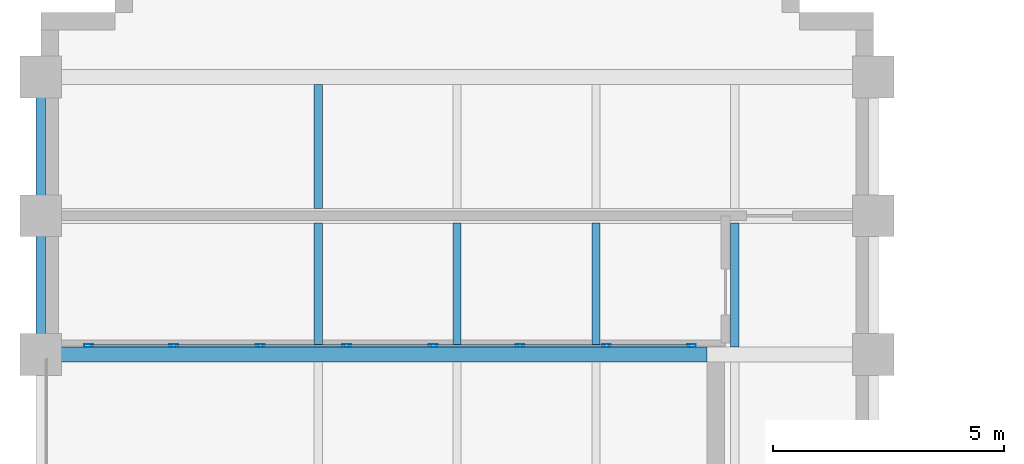
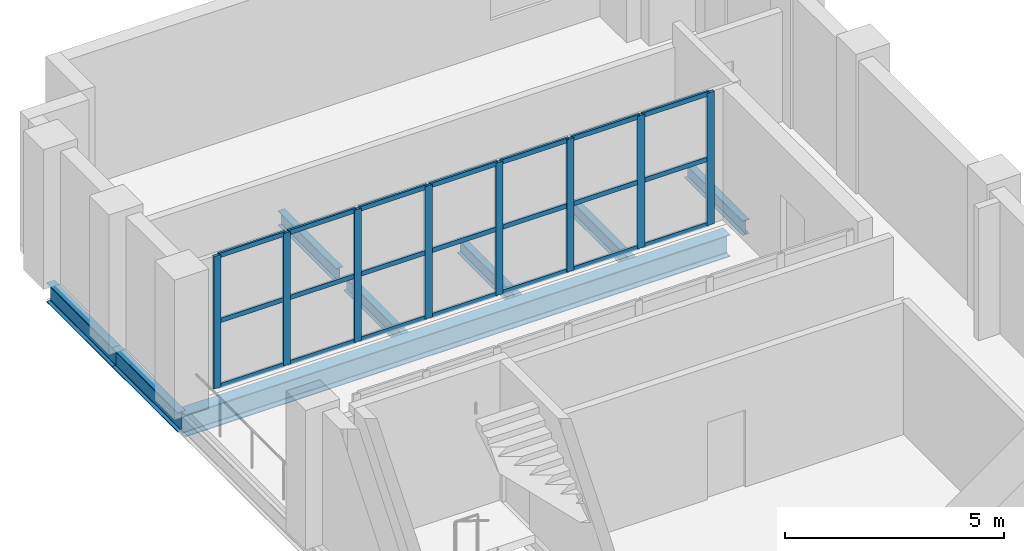
# One storey, part 6 of 11: 29 members, 8 beams, 1 element without a shape of its own.
"""IFC4 building model written with IfcOpenShell, lengths in metres."""

from ifc_helpers import new_model, si_unit, direction, frame, origin, origin_2d, place, context, subcontext, project, spatial, hollow_rectangle, i_section, extrude, material, layer, layer_set, material_profile, profile_set, type_object, element, aggregate, save


model = new_model("IFC4")

# Units and contexts
model_context = context("Model", 3, precision=1e-05, world=origin(), true_north=direction((0.0, 1.0)))
body_context = subcontext(model_context, "Body", "Model", "MODEL_VIEW")
ifc_project = project(units=[si_unit("LENGTHUNIT", "METRE"), si_unit("AREAUNIT", "SQUARE_METRE"), si_unit("VOLUMEUNIT", "CUBIC_METRE"), si_unit("PLANEANGLEUNIT", "RADIAN"), si_unit("MASSUNIT", "GRAM", prefix="KILO")], contexts=[model_context])

# Site, building, storey
site_placement = place(None, origin())
site = spatial("IfcSite", under=ifc_project, at=site_placement, CompositionType="ELEMENT")
building_placement = place(site_placement, origin())
building = spatial("IfcBuilding", under=site, at=building_placement, Name="Mawjdan Bourse Tower", CompositionType="ELEMENT")
storey_placement = place(building_placement, frame((0.0, 0.0, 191.699951171875)))
storey = spatial("IfcBuildingStorey", under=building, at=storey_placement, Name="L46", CompositionType="ELEMENT", Elevation=191.699951171875)

# Beams
ifc_material_1 = material(Name="Structural Steel S355", Category="steel")
ifc_material_profile_1 = material_profile(ifc_material_1, i_section(OverallWidth=0.324951171875, OverallDepth=0.616943359375, WebThickness=0.013916015625, FlangeThickness=0.021484375, FilletRadius=0.017333984375, at=origin_2d()), Name="W24X117")
ifc_profile_set_1 = profile_set([ifc_material_profile_1], Name="Structural Steel S355")
beam_type_1 = type_object("IfcBeamType", Name="GRD-W24X117", PredefinedType="BEAM", material=ifc_profile_set_1)
beam_placement = place(storey_placement, frame((6.0, 36.0, -0.508544921875), z_axis=(1.0, 0.0, 0.0), x_axis=(0.0, 1.0, 0.0)))
element("IfcBeam", 1, at=beam_placement, inside=storey, type_object=beam_type_1, Name="L46 North Wing Clear-Span Girder 050", PredefinedType="BEAM", context=body_context, shape_type="SweptSolid", body=[
    extrude(i_section(OverallWidth=0.324951171875, OverallDepth=0.616943359375, WebThickness=0.013916015625, FlangeThickness=0.021484375, FilletRadius=0.017333984375, at=origin_2d()), origin(), (0.0, 0.0, 1.0), 14.39990234375),
])
ifc_material_profile_2 = material_profile(ifc_material_1, i_section(OverallWidth=0.177978515625, OverallDepth=0.406982421875, WebThickness=0.0078125, FlangeThickness=0.0126953125, FilletRadius=0.01025390625, at=origin_2d()), Name="W16X40")
ifc_profile_set_2 = profile_set([ifc_material_profile_2], Name="Structural Steel S355")
beam_type_2 = type_object("IfcBeamType", Name="JST-W16X40", PredefinedType="JOIST", material=ifc_profile_set_2)
for number, where, z_axis, x_axis, name in (
    (2, (12.0, 36.160400390625, -0.403564453125), (0.0, 1.0, 0.0), (-1.0, 0.0, 0.0), "L46 North Wing Composite Joist 067"),
    (3, (12.0, 39.160400390625, -0.403564453125), (0.0, 1.0, 0.0), (-1.0, 0.0, 0.0), "L46 North Wing Composite Joist 068"),
    (4, (15.0, 36.160400390625, -0.403564453125), (0.0, 1.0, 0.0), (-1.0, 0.0, 0.0), "L46 North Wing Composite Joist 072"),
    (5, (18.0, 36.160400390625, -0.403564453125), (0.0, 1.0, 0.0), (-1.0, 0.0, 0.0), "L46 North Wing Composite Joist 077"),
    (6, (21.0, 36.160400390625, -0.403564453125), (0.0, 1.0, 0.0), (-1.0, 0.0, 0.0), "L46 North Wing Composite Joist 082"),
):
    element("IfcBeam", number, at=place(storey_placement, frame(where, z_axis=z_axis, x_axis=x_axis)), inside=storey, type_object=beam_type_2, Name=name, PredefinedType="JOIST", context=body_context, shape_type="SweptSolid", body=[
        extrude(i_section(OverallWidth=0.177978515625, OverallDepth=0.406982421875, WebThickness=0.0078125, FlangeThickness=0.0126953125, FilletRadius=0.01025390625, at=origin_2d()), origin(), (0.0, 0.0, 1.0), 2.67919921875),
    ])

# Curtain wall, members
ifc_material_2 = material(Name="Thermally Broken Aluminium and Solar Glass", Category="aluminium")
ifc_layer = layer(ifc_material_2, 0.219970703125)
ifc_layer_set = layer_set([ifc_layer], Name="Thermally Broken Aluminium and Solar Glass")
curtain_wall_type = type_object("IfcCurtainWallType", Name="CW-POR", PredefinedType="USERDEFINED", material=ifc_layer_set)
curtain_wall_placement = place(storey_placement, origin())
curtain_wall = element("IfcCurtainWall", 7, at=curtain_wall_placement, inside=storey, type_object=curtain_wall_type, Name="L46 North Void Portal Glazed Cheek 14", ObjectType="VOID PORTAL CURTAIN WALL", PredefinedType="USERDEFINED")
ifc_material_3 = material(Name="Thermally Broken Anodised Aluminium", Category="aluminium")
ifc_material_profile_3 = material_profile(ifc_material_3, hollow_rectangle(XDim=0.070068359375, YDim=0.18994140625, WallThickness=0.00439453125, at=origin_2d()), Name="ALU-MUL-190X70")
ifc_profile_set_3 = profile_set([ifc_material_profile_3], Name="Thermally Broken Anodised Aluminium")
member_type_1 = type_object("IfcMemberType", Name="MUL-ALU-MUL-190X70", PredefinedType="MULLION", material=ifc_profile_set_3)
member_1_placement = place(storey_placement, frame((7.034912109375, 36.18994140625, 0.0), z_axis=(0.0, 0.0, 1.0), x_axis=(0.0, 1.0, 0.0)))
member_1 = element("IfcMember", 8, at=member_1_placement, type_object=member_type_1, Name="CW-POR-L46-POR-N14 mullion 1", PredefinedType="MULLION", context=body_context, shape_type="SweptSolid", body=[
    extrude(hollow_rectangle(XDim=0.070068359375, YDim=0.18994140625, WallThickness=0.00439453125, at=origin_2d()), origin(), (0.0, 0.0, 1.0), 3.699951171875),
])
member_2_placement = place(storey_placement, frame((8.871337890625, 36.18994140625, 0.0), z_axis=(0.0, 0.0, 1.0), x_axis=(0.0, 1.0, 0.0)))
member_2 = element("IfcMember", 9, at=member_2_placement, type_object=member_type_1, Name="CW-POR-L46-POR-N14 mullion 2", PredefinedType="MULLION", context=body_context, shape_type="SweptSolid", body=[
    extrude(hollow_rectangle(XDim=0.070068359375, YDim=0.18994140625, WallThickness=0.00439453125, at=origin_2d()), origin(), (0.0, 0.0, 1.0), 3.699951171875),
])
member_3_placement = place(storey_placement, frame((10.742919921875, 36.18994140625, 0.0), z_axis=(0.0, 0.0, 1.0), x_axis=(0.0, 1.0, 0.0)))
member_3 = element("IfcMember", 10, at=member_3_placement, type_object=member_type_1, Name="CW-POR-L46-POR-N14 mullion 3", PredefinedType="MULLION", context=body_context, shape_type="SweptSolid", body=[
    extrude(hollow_rectangle(XDim=0.070068359375, YDim=0.18994140625, WallThickness=0.00439453125, at=origin_2d()), origin(), (0.0, 0.0, 1.0), 3.699951171875),
])
member_4_placement = place(storey_placement, frame((12.6142578125, 36.18994140625, 0.0), z_axis=(0.0, 0.0, 1.0), x_axis=(0.0, 1.0, 0.0)))
member_4 = element("IfcMember", 11, at=member_4_placement, type_object=member_type_1, Name="CW-POR-L46-POR-N14 mullion 4", PredefinedType="MULLION", context=body_context, shape_type="SweptSolid", body=[
    extrude(hollow_rectangle(XDim=0.070068359375, YDim=0.18994140625, WallThickness=0.00439453125, at=origin_2d()), origin(), (0.0, 0.0, 1.0), 3.699951171875),
])
member_5_placement = place(storey_placement, frame((14.485595703125, 36.18994140625, 0.0), z_axis=(0.0, 0.0, 1.0), x_axis=(0.0, 1.0, 0.0)))
member_5 = element("IfcMember", 12, at=member_5_placement, type_object=member_type_1, Name="CW-POR-L46-POR-N14 mullion 5", PredefinedType="MULLION", context=body_context, shape_type="SweptSolid", body=[
    extrude(hollow_rectangle(XDim=0.070068359375, YDim=0.18994140625, WallThickness=0.00439453125, at=origin_2d()), origin(), (0.0, 0.0, 1.0), 3.699951171875),
])
member_6_placement = place(storey_placement, frame((16.357177734375, 36.18994140625, 0.0), z_axis=(0.0, 0.0, 1.0), x_axis=(0.0, 1.0, 0.0)))
member_6 = element("IfcMember", 13, at=member_6_placement, type_object=member_type_1, Name="CW-POR-L46-POR-N14 mullion 6", PredefinedType="MULLION", context=body_context, shape_type="SweptSolid", body=[
    extrude(hollow_rectangle(XDim=0.070068359375, YDim=0.18994140625, WallThickness=0.00439453125, at=origin_2d()), origin(), (0.0, 0.0, 1.0), 3.699951171875),
])
member_7_placement = place(storey_placement, frame((18.228515625, 36.18994140625, 0.0), z_axis=(0.0, 0.0, 1.0), x_axis=(0.0, 1.0, 0.0)))
member_7 = element("IfcMember", 14, at=member_7_placement, type_object=member_type_1, Name="CW-POR-L46-POR-N14 mullion 7", PredefinedType="MULLION", context=body_context, shape_type="SweptSolid", body=[
    extrude(hollow_rectangle(XDim=0.070068359375, YDim=0.18994140625, WallThickness=0.00439453125, at=origin_2d()), origin(), (0.0, 0.0, 1.0), 3.699951171875),
])
member_8_placement = place(storey_placement, frame((20.06494140625, 36.18994140625, 0.0), z_axis=(0.0, 0.0, 1.0), x_axis=(0.0, 1.0, 0.0)))
member_8 = element("IfcMember", 15, at=member_8_placement, type_object=member_type_1, Name="CW-POR-L46-POR-N14 mullion 8", PredefinedType="MULLION", context=body_context, shape_type="SweptSolid", body=[
    extrude(hollow_rectangle(XDim=0.070068359375, YDim=0.18994140625, WallThickness=0.00439453125, at=origin_2d()), origin(), (0.0, 0.0, 1.0), 3.699951171875),
])

# Beams
ifc_material_profile_4 = material_profile(ifc_material_1, i_section(OverallWidth=0.2119140625, OverallDepth=0.5439453125, WebThickness=0.01318359375, FlangeThickness=0.021240234375, FilletRadius=0.01708984375, at=origin_2d()), Name="W21X83")
ifc_profile_set_4 = profile_set([ifc_material_profile_4], Name="Structural Steel S355")
beam_type_3 = type_object("IfcBeamType", Name="SPN-W21X83", PredefinedType="SPANDREL", material=ifc_profile_set_4)
for number, where, z_axis, x_axis, name in (
    (16, (6.0, 36.0, -0.471923828125), (0.0, 1.0, 0.0), (-1.0, 0.0, 0.0), "L46 North Wing Spandrel 057"),
    (17, (6.0, 39.0, -0.471923828125), (0.0, 1.0, 0.0), (-1.0, 0.0, 0.0), "L46 North Wing Spandrel 058"),
):
    element("IfcBeam", number, at=place(storey_placement, frame(where, z_axis=z_axis, x_axis=x_axis)), inside=storey, type_object=beam_type_3, Name=name, PredefinedType="SPANDREL", context=body_context, shape_type="SweptSolid", body=[
        extrude(i_section(OverallWidth=0.2119140625, OverallDepth=0.5439453125, WebThickness=0.01318359375, FlangeThickness=0.021240234375, FilletRadius=0.01708984375, at=origin_2d()), origin(), (0.0, 0.0, 1.0), 3.0),
    ])

# Member
ifc_material_profile_5 = material_profile(ifc_material_3, hollow_rectangle(XDim=0.054931640625, YDim=0.1298828125, WallThickness=0.00341796875, at=origin_2d()), Name="ALU-TRN-130X55")
ifc_profile_set_5 = profile_set([ifc_material_profile_5], Name="Thermally Broken Anodised Aluminium")
member_type_2 = type_object("IfcMemberType", Name="TRN-ALU-TRN-130X55", PredefinedType="USERDEFINED", material=ifc_profile_set_5)
member_9_placement = place(storey_placement, frame((7.070068359375, 36.18994140625, 0.027587890625), z_axis=(1.0, 0.0, 0.0), x_axis=(0.0, 1.0, 0.0)))
member_9 = element("IfcMember", 18, at=member_9_placement, type_object=member_type_2, Name="CW-POR-L46-POR-N14 transom 1.1", ObjectType="TRANSOM", PredefinedType="USERDEFINED", context=body_context, shape_type="SweptSolid", body=[
    extrude(hollow_rectangle(XDim=0.054931640625, YDim=0.1298828125, WallThickness=0.00341796875, at=origin_2d()), origin(), (0.0, 0.0, 1.0), 1.766357421875),
])

member_10_placement = place(storey_placement, frame((7.070068359375, 36.18994140625, 1.85009765625), z_axis=(1.0, 0.0, 0.0), x_axis=(0.0, 1.0, 0.0)))
member_10 = element("IfcMember", 19, at=member_10_placement, type_object=member_type_2, Name="CW-POR-L46-POR-N14 transom 1.2", ObjectType="TRANSOM", PredefinedType="USERDEFINED", context=body_context, shape_type="SweptSolid", body=[
    extrude(hollow_rectangle(XDim=0.054931640625, YDim=0.1298828125, WallThickness=0.00341796875, at=origin_2d()), origin(), (0.0, 0.0, 1.0), 1.766357421875),
])

member_11_placement = place(storey_placement, frame((7.070068359375, 36.18994140625, 3.672607421875), z_axis=(1.0, 0.0, 0.0), x_axis=(0.0, 1.0, 0.0)))
member_11 = element("IfcMember", 20, at=member_11_placement, type_object=member_type_2, Name="CW-POR-L46-POR-N14 transom 1.3", ObjectType="TRANSOM", PredefinedType="USERDEFINED", context=body_context, shape_type="SweptSolid", body=[
    extrude(hollow_rectangle(XDim=0.054931640625, YDim=0.1298828125, WallThickness=0.00341796875, at=origin_2d()), origin(), (0.0, 0.0, 1.0), 1.766357421875),
])

member_12_placement = place(storey_placement, frame((8.906494140625, 36.18994140625, 0.027587890625), z_axis=(1.0, 0.0, 0.0), x_axis=(0.0, 1.0, 0.0)))
member_12 = element("IfcMember", 21, at=member_12_placement, type_object=member_type_2, Name="CW-POR-L46-POR-N14 transom 2.1", ObjectType="TRANSOM", PredefinedType="USERDEFINED", context=body_context, shape_type="SweptSolid", body=[
    extrude(hollow_rectangle(XDim=0.054931640625, YDim=0.1298828125, WallThickness=0.00341796875, at=origin_2d()), origin(), (0.0, 0.0, 1.0), 1.80126953125),
])

member_13_placement = place(storey_placement, frame((8.906494140625, 36.18994140625, 1.85009765625), z_axis=(1.0, 0.0, 0.0), x_axis=(0.0, 1.0, 0.0)))
member_13 = element("IfcMember", 22, at=member_13_placement, type_object=member_type_2, Name="CW-POR-L46-POR-N14 transom 2.2", ObjectType="TRANSOM", PredefinedType="USERDEFINED", context=body_context, shape_type="SweptSolid", body=[
    extrude(hollow_rectangle(XDim=0.054931640625, YDim=0.1298828125, WallThickness=0.00341796875, at=origin_2d()), origin(), (0.0, 0.0, 1.0), 1.80126953125),
])

member_14_placement = place(storey_placement, frame((8.906494140625, 36.18994140625, 3.672607421875), z_axis=(1.0, 0.0, 0.0), x_axis=(0.0, 1.0, 0.0)))
member_14 = element("IfcMember", 23, at=member_14_placement, type_object=member_type_2, Name="CW-POR-L46-POR-N14 transom 2.3", ObjectType="TRANSOM", PredefinedType="USERDEFINED", context=body_context, shape_type="SweptSolid", body=[
    extrude(hollow_rectangle(XDim=0.054931640625, YDim=0.1298828125, WallThickness=0.00341796875, at=origin_2d()), origin(), (0.0, 0.0, 1.0), 1.80126953125),
])

member_15_placement = place(storey_placement, frame((10.77783203125, 36.18994140625, 0.027587890625), z_axis=(1.0, 0.0, 0.0), x_axis=(0.0, 1.0, 0.0)))
member_15 = element("IfcMember", 24, at=member_15_placement, type_object=member_type_2, Name="CW-POR-L46-POR-N14 transom 3.1", ObjectType="TRANSOM", PredefinedType="USERDEFINED", context=body_context, shape_type="SweptSolid", body=[
    extrude(hollow_rectangle(XDim=0.054931640625, YDim=0.1298828125, WallThickness=0.00341796875, at=origin_2d()), origin(), (0.0, 0.0, 1.0), 1.801513671875),
])

member_16_placement = place(storey_placement, frame((10.77783203125, 36.18994140625, 1.85009765625), z_axis=(1.0, 0.0, 0.0), x_axis=(0.0, 1.0, 0.0)))
member_16 = element("IfcMember", 25, at=member_16_placement, type_object=member_type_2, Name="CW-POR-L46-POR-N14 transom 3.2", ObjectType="TRANSOM", PredefinedType="USERDEFINED", context=body_context, shape_type="SweptSolid", body=[
    extrude(hollow_rectangle(XDim=0.054931640625, YDim=0.1298828125, WallThickness=0.00341796875, at=origin_2d()), origin(), (0.0, 0.0, 1.0), 1.801513671875),
])

member_17_placement = place(storey_placement, frame((10.77783203125, 36.18994140625, 3.672607421875), z_axis=(1.0, 0.0, 0.0), x_axis=(0.0, 1.0, 0.0)))
member_17 = element("IfcMember", 26, at=member_17_placement, type_object=member_type_2, Name="CW-POR-L46-POR-N14 transom 3.3", ObjectType="TRANSOM", PredefinedType="USERDEFINED", context=body_context, shape_type="SweptSolid", body=[
    extrude(hollow_rectangle(XDim=0.054931640625, YDim=0.1298828125, WallThickness=0.00341796875, at=origin_2d()), origin(), (0.0, 0.0, 1.0), 1.801513671875),
])

member_18_placement = place(storey_placement, frame((12.649169921875, 36.18994140625, 0.027587890625), z_axis=(1.0, 0.0, 0.0), x_axis=(0.0, 1.0, 0.0)))
member_18 = element("IfcMember", 27, at=member_18_placement, type_object=member_type_2, Name="CW-POR-L46-POR-N14 transom 4.1", ObjectType="TRANSOM", PredefinedType="USERDEFINED", context=body_context, shape_type="SweptSolid", body=[
    extrude(hollow_rectangle(XDim=0.054931640625, YDim=0.1298828125, WallThickness=0.00341796875, at=origin_2d()), origin(), (0.0, 0.0, 1.0), 1.801513671875),
])

member_19_placement = place(storey_placement, frame((12.649169921875, 36.18994140625, 1.85009765625), z_axis=(1.0, 0.0, 0.0), x_axis=(0.0, 1.0, 0.0)))
member_19 = element("IfcMember", 28, at=member_19_placement, type_object=member_type_2, Name="CW-POR-L46-POR-N14 transom 4.2", ObjectType="TRANSOM", PredefinedType="USERDEFINED", context=body_context, shape_type="SweptSolid", body=[
    extrude(hollow_rectangle(XDim=0.054931640625, YDim=0.1298828125, WallThickness=0.00341796875, at=origin_2d()), origin(), (0.0, 0.0, 1.0), 1.801513671875),
])

member_20_placement = place(storey_placement, frame((12.649169921875, 36.18994140625, 3.672607421875), z_axis=(1.0, 0.0, 0.0), x_axis=(0.0, 1.0, 0.0)))
member_20 = element("IfcMember", 29, at=member_20_placement, type_object=member_type_2, Name="CW-POR-L46-POR-N14 transom 4.3", ObjectType="TRANSOM", PredefinedType="USERDEFINED", context=body_context, shape_type="SweptSolid", body=[
    extrude(hollow_rectangle(XDim=0.054931640625, YDim=0.1298828125, WallThickness=0.00341796875, at=origin_2d()), origin(), (0.0, 0.0, 1.0), 1.801513671875),
])

member_21_placement = place(storey_placement, frame((14.520751953125, 36.18994140625, 0.027587890625), z_axis=(1.0, 0.0, 0.0), x_axis=(0.0, 1.0, 0.0)))
member_21 = element("IfcMember", 30, at=member_21_placement, type_object=member_type_2, Name="CW-POR-L46-POR-N14 transom 5.1", ObjectType="TRANSOM", PredefinedType="USERDEFINED", context=body_context, shape_type="SweptSolid", body=[
    extrude(hollow_rectangle(XDim=0.054931640625, YDim=0.1298828125, WallThickness=0.00341796875, at=origin_2d()), origin(), (0.0, 0.0, 1.0), 1.80126953125),
])

member_22_placement = place(storey_placement, frame((14.520751953125, 36.18994140625, 1.85009765625), z_axis=(1.0, 0.0, 0.0), x_axis=(0.0, 1.0, 0.0)))
member_22 = element("IfcMember", 31, at=member_22_placement, type_object=member_type_2, Name="CW-POR-L46-POR-N14 transom 5.2", ObjectType="TRANSOM", PredefinedType="USERDEFINED", context=body_context, shape_type="SweptSolid", body=[
    extrude(hollow_rectangle(XDim=0.054931640625, YDim=0.1298828125, WallThickness=0.00341796875, at=origin_2d()), origin(), (0.0, 0.0, 1.0), 1.80126953125),
])

member_23_placement = place(storey_placement, frame((14.520751953125, 36.18994140625, 3.672607421875), z_axis=(1.0, 0.0, 0.0), x_axis=(0.0, 1.0, 0.0)))
member_23 = element("IfcMember", 32, at=member_23_placement, type_object=member_type_2, Name="CW-POR-L46-POR-N14 transom 5.3", ObjectType="TRANSOM", PredefinedType="USERDEFINED", context=body_context, shape_type="SweptSolid", body=[
    extrude(hollow_rectangle(XDim=0.054931640625, YDim=0.1298828125, WallThickness=0.00341796875, at=origin_2d()), origin(), (0.0, 0.0, 1.0), 1.80126953125),
])

member_24_placement = place(storey_placement, frame((16.39208984375, 36.18994140625, 0.027587890625), z_axis=(1.0, 0.0, 0.0), x_axis=(0.0, 1.0, 0.0)))
member_24 = element("IfcMember", 33, at=member_24_placement, type_object=member_type_2, Name="CW-POR-L46-POR-N14 transom 6.1", ObjectType="TRANSOM", PredefinedType="USERDEFINED", context=body_context, shape_type="SweptSolid", body=[
    extrude(hollow_rectangle(XDim=0.054931640625, YDim=0.1298828125, WallThickness=0.00341796875, at=origin_2d()), origin(), (0.0, 0.0, 1.0), 1.801513671875),
])

member_25_placement = place(storey_placement, frame((16.39208984375, 36.18994140625, 1.85009765625), z_axis=(1.0, 0.0, 0.0), x_axis=(0.0, 1.0, 0.0)))
member_25 = element("IfcMember", 34, at=member_25_placement, type_object=member_type_2, Name="CW-POR-L46-POR-N14 transom 6.2", ObjectType="TRANSOM", PredefinedType="USERDEFINED", context=body_context, shape_type="SweptSolid", body=[
    extrude(hollow_rectangle(XDim=0.054931640625, YDim=0.1298828125, WallThickness=0.00341796875, at=origin_2d()), origin(), (0.0, 0.0, 1.0), 1.801513671875),
])

member_26_placement = place(storey_placement, frame((16.39208984375, 36.18994140625, 3.672607421875), z_axis=(1.0, 0.0, 0.0), x_axis=(0.0, 1.0, 0.0)))
member_26 = element("IfcMember", 35, at=member_26_placement, type_object=member_type_2, Name="CW-POR-L46-POR-N14 transom 6.3", ObjectType="TRANSOM", PredefinedType="USERDEFINED", context=body_context, shape_type="SweptSolid", body=[
    extrude(hollow_rectangle(XDim=0.054931640625, YDim=0.1298828125, WallThickness=0.00341796875, at=origin_2d()), origin(), (0.0, 0.0, 1.0), 1.801513671875),
])

member_27_placement = place(storey_placement, frame((18.263671875, 36.18994140625, 0.027587890625), z_axis=(1.0, 0.0, 0.0), x_axis=(0.0, 1.0, 0.0)))
member_27 = element("IfcMember", 36, at=member_27_placement, type_object=member_type_2, Name="CW-POR-L46-POR-N14 transom 7.1", ObjectType="TRANSOM", PredefinedType="USERDEFINED", context=body_context, shape_type="SweptSolid", body=[
    extrude(hollow_rectangle(XDim=0.054931640625, YDim=0.1298828125, WallThickness=0.00341796875, at=origin_2d()), origin(), (0.0, 0.0, 1.0), 1.766357421875),
])

member_28_placement = place(storey_placement, frame((18.263671875, 36.18994140625, 1.85009765625), z_axis=(1.0, 0.0, 0.0), x_axis=(0.0, 1.0, 0.0)))
member_28 = element("IfcMember", 37, at=member_28_placement, type_object=member_type_2, Name="CW-POR-L46-POR-N14 transom 7.2", ObjectType="TRANSOM", PredefinedType="USERDEFINED", context=body_context, shape_type="SweptSolid", body=[
    extrude(hollow_rectangle(XDim=0.054931640625, YDim=0.1298828125, WallThickness=0.00341796875, at=origin_2d()), origin(), (0.0, 0.0, 1.0), 1.766357421875),
])

member_29_placement = place(storey_placement, frame((18.263671875, 36.18994140625, 3.672607421875), z_axis=(1.0, 0.0, 0.0), x_axis=(0.0, 1.0, 0.0)))
member_29 = element("IfcMember", 38, at=member_29_placement, type_object=member_type_2, Name="CW-POR-L46-POR-N14 transom 7.3", ObjectType="TRANSOM", PredefinedType="USERDEFINED", context=body_context, shape_type="SweptSolid", body=[
    extrude(hollow_rectangle(XDim=0.054931640625, YDim=0.1298828125, WallThickness=0.00341796875, at=origin_2d()), origin(), (0.0, 0.0, 1.0), 1.766357421875),
])

aggregate(curtain_wall, [member_1, member_2, member_3, member_4, member_5, member_6, member_7, member_8, member_9, member_10, member_11, member_12, member_13, member_14, member_15, member_16, member_17, member_18, member_19, member_20, member_21, member_22, member_23, member_24, member_25, member_26, member_27, member_28, member_29])

save(model, "model.ifc")
